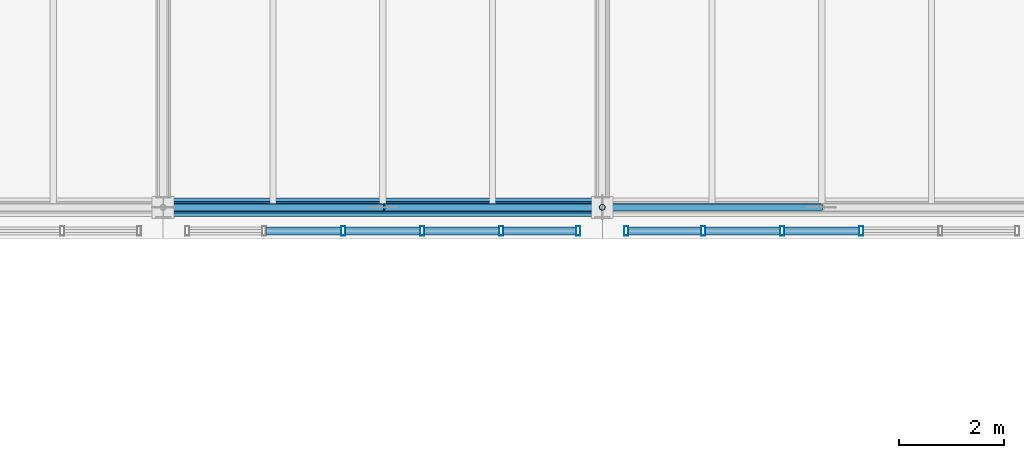
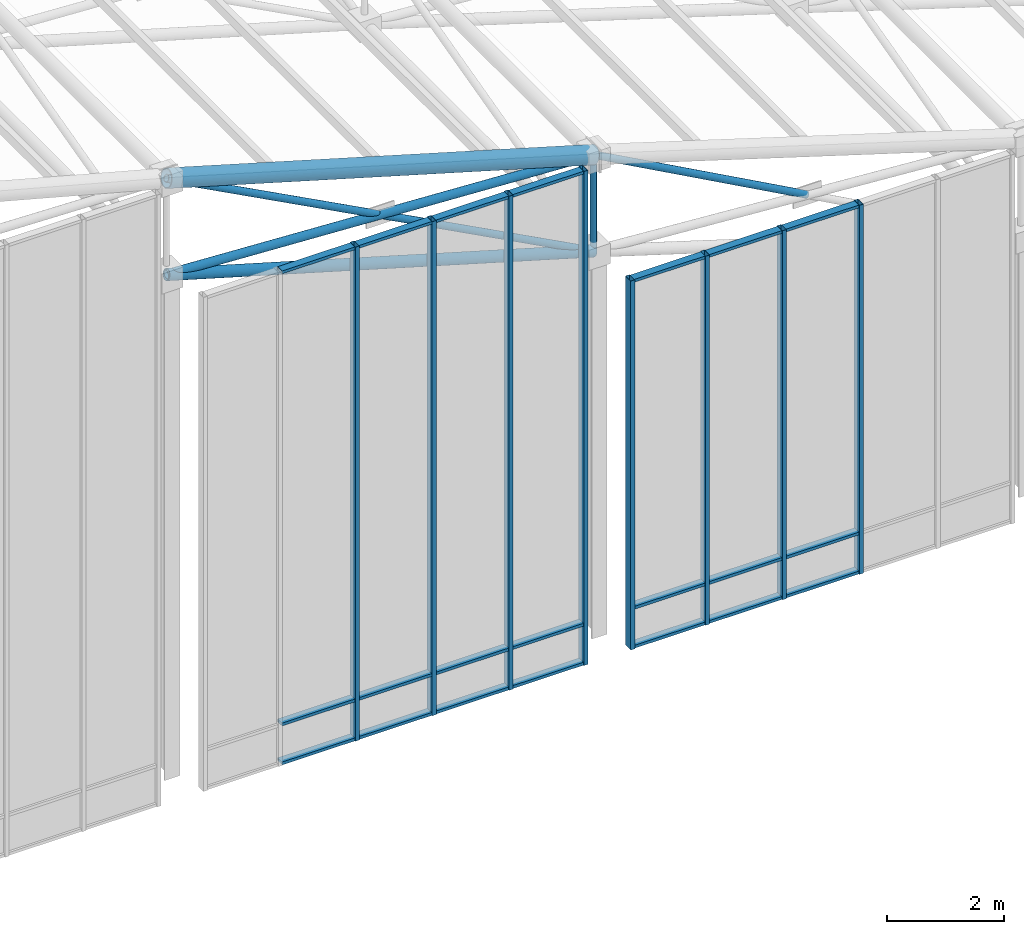
# One storey, part 22 of 144: 36 members, 2 elements without a shape of their own.
"""IFC4 building model written with IfcOpenShell, lengths in metres."""

from ifc_helpers import new_model, si_unit, direction, frame, origin, origin_2d, place, context, subcontext, project, spatial, hollow_rectangle, hollow_circle, extrude, material, layer, layer_set, material_profile, profile_set, type_object, element, aggregate, save


model = new_model("IFC4")

# Units and contexts
model_context = context("Model", 3, precision=1e-05, world=origin(), true_north=direction((0.0, 1.0)))
body_context = subcontext(model_context, "Body", "Model", "MODEL_VIEW")
ifc_project = project(units=[si_unit("LENGTHUNIT", "METRE"), si_unit("AREAUNIT", "SQUARE_METRE"), si_unit("VOLUMEUNIT", "CUBIC_METRE"), si_unit("PLANEANGLEUNIT", "RADIAN"), si_unit("MASSUNIT", "GRAM", prefix="KILO")], contexts=[model_context])

# Site, building, storey
site_placement = place(None, origin())
site = spatial("IfcSite", under=ifc_project, at=site_placement, CompositionType="ELEMENT")
building_placement = place(site_placement, origin())
building = spatial("IfcBuilding", under=site, at=building_placement, Name="Zayran Congress Hotel", CompositionType="ELEMENT")
storey_placement = place(building_placement, frame((0.0, 0.0, 19.199951171875)))
storey = spatial("IfcBuildingStorey", under=building, at=storey_placement, Name="L04", CompositionType="ELEMENT", Elevation=19.199951171875)

# Members
ifc_material_1 = material(Name="Steel S355", Category="steel")
ifc_material_profile_1 = material_profile(ifc_material_1, hollow_circle(Radius=0.177734375, WallThickness=0.01611328125, at=origin_2d()), Name="CHS 355.6x16")
ifc_profile_set_1 = profile_set([ifc_material_profile_1], Name="Steel S355")
member_type_1 = type_object("IfcMemberType", Name="TP-SF-TC1", PredefinedType="CHORD", material=ifc_profile_set_1)
member_1_placement = place(storey_placement, frame((58.800048828125, 68.199951171875, 12.35205078125), z_axis=(0.960000625005, 0.0, -0.279997857116), x_axis=(0.0, 1.0, 0.0)))
element("IfcMember", 1, at=member_1_placement, inside=storey, type_object=member_type_1, Name="Space Frame Top Chord X 331", PredefinedType="CHORD", context=body_context, shape_type="SweptSolid", body=[
    extrude(hollow_circle(Radius=0.177734375, WallThickness=0.01611328125, at=origin_2d()), origin(), (0.0, 0.0, 1.0), 8.75),
])
ifc_material_profile_2 = material_profile(ifc_material_1, hollow_circle(Radius=0.109619140625, WallThickness=0.010009765625, at=origin_2d()), Name="CHS 219.1x10")
ifc_profile_set_2 = profile_set([ifc_material_profile_2], Name="Steel S355")
member_type_2 = type_object("IfcMemberType", Name="TP-SF-BC1", PredefinedType="CHORD", material=ifc_profile_set_2)
member_2_placement = place(storey_placement, frame((58.800048828125, 68.199951171875, 10.35009765625), z_axis=(0.960000625005, 0.0, -0.279997857116), x_axis=(0.0, 1.0, 0.0)))
element("IfcMember", 2, at=member_2_placement, inside=storey, type_object=member_type_2, Name="Space Frame Bottom Chord X 332", PredefinedType="CHORD", context=body_context, shape_type="SweptSolid", body=[
    extrude(hollow_circle(Radius=0.109619140625, WallThickness=0.010009765625, at=origin_2d()), origin(), (0.0, 0.0, 1.0), 8.75),
])
ifc_material_profile_3 = material_profile(ifc_material_1, hollow_circle(Radius=0.084228515625, WallThickness=0.008056640625, at=origin_2d()), Name="CHS 168.3x8")
ifc_profile_set_3 = profile_set([ifc_material_profile_3], Name="Steel S355")
member_type_3 = type_object("IfcMemberType", Name="TP-SF-DG1", PredefinedType="BRACE", material=ifc_profile_set_3)
member_3_placement = place(storey_placement, frame((58.800048828125, 68.199951171875, 10.35009765625), z_axis=(0.998580784097, 0.0, -0.053258028798), x_axis=(0.0, 1.0, 0.0)))
element("IfcMember", 3, at=member_3_placement, inside=storey, type_object=member_type_3, Name="Space Frame Web Diagonal X 333", PredefinedType="BRACE", context=body_context, shape_type="SweptSolid", body=[
    extrude(hollow_circle(Radius=0.084228515625, WallThickness=0.008056640625, at=origin_2d()), origin(), (0.0, 0.0, 1.0), 8.411865234375),
])
ifc_material_profile_4 = material_profile(ifc_material_1, hollow_circle(Radius=0.06982421875, WallThickness=0.00634765625, at=origin_2d()), Name="CHS 139.7x6.3")
ifc_profile_set_4 = profile_set([ifc_material_profile_4], Name="Steel S355")
member_type_4 = type_object("IfcMemberType", Name="TP-SF-DG2", PredefinedType="BRACE", material=ifc_profile_set_4)
for number, where, z_axis, x_axis, name in (
    (4, (58.800048828125, 68.199951171875, 12.35205078125), (0.883572260403, 0.0, -0.468294843711), (0.0, 1.0, 0.0), "Space Frame Counter Diagonal X Upper 334"),
    (5, (63.01318359375, 68.199951171875, 10.119140625), (0.883572260403, 0.0, -0.468294843711), (0.0, 1.0, 0.0), "Space Frame Counter Diagonal X Lower 55"),
):
    element("IfcMember", number, at=place(storey_placement, frame(where, z_axis=z_axis, x_axis=x_axis)), inside=storey, type_object=member_type_4, Name=name, PredefinedType="BRACE", context=body_context, shape_type="SweptSolid", body=[
        extrude(hollow_circle(Radius=0.06982421875, WallThickness=0.00634765625, at=origin_2d()), origin(), (0.0, 0.0, 1.0), 4.738525390625),
    ])
member_4_placement = place(storey_placement, frame((67.199951171875, 68.199951171875, 9.902099609375), z_axis=(0.87699109083, 0.0, -0.480506635339), x_axis=(0.0, 1.0, 0.0)))
element("IfcMember", 6, at=member_4_placement, inside=storey, type_object=member_type_4, Name="Space Frame Counter Diagonal X Upper 387", PredefinedType="BRACE", context=body_context, shape_type="SweptSolid", body=[
    extrude(hollow_circle(Radius=0.06982421875, WallThickness=0.00634765625, at=origin_2d()), origin(), (0.0, 0.0, 1.0), 4.77392578125),
])
ifc_material_profile_5 = material_profile(ifc_material_1, hollow_circle(Radius=0.05712890625, WallThickness=0.00634765625, at=origin_2d()), Name="CHS 114.3x6.3")
ifc_profile_set_5 = profile_set([ifc_material_profile_5], Name="Steel S355")
member_type_5 = type_object("IfcMemberType", Name="TP-SF-DG3", PredefinedType="BRACE", material=ifc_profile_set_5)
member_5_placement = place(storey_placement, frame((67.199951171875, 68.199951171875, 7.900146484375), z_axis=(0.0, 0.0, 1.0), x_axis=(0.0, 1.0, 0.0)))
element("IfcMember", 7, at=member_5_placement, inside=storey, type_object=member_type_5, Name="Space Frame Web Strut 391", PredefinedType="BRACE", context=body_context, shape_type="SweptSolid", body=[
    extrude(hollow_circle(Radius=0.05712890625, WallThickness=0.00634765625, at=origin_2d()), origin(), (0.0, 0.0, 1.0), 2.001953125),
])

# Curtain wall, members
ifc_material_2 = material(Name="Anodised aluminium and low-E insulated glass", Category="aluminium")
ifc_layer_1 = layer(ifc_material_2, 0.179931640625)
ifc_layer_set_1 = layer_set([ifc_layer_1], Name="Anodised aluminium and low-E insulated glass")
curtain_wall_type_1 = type_object("IfcCurtainWallType", Name="CW-V1CL-L04-CW-11-7560-10270", PredefinedType="USERDEFINED", material=ifc_layer_set_1)
curtain_wall_1_placement = place(storey_placement, origin())
curtain_wall_1 = element("IfcCurtainWall", 8, at=curtain_wall_1_placement, inside=storey, type_object=curtain_wall_type_1, Name="CW-V1CLS-6", ObjectType="CURTAIN WALL", PredefinedType="USERDEFINED")
ifc_material_3 = material(Name="Anodised aluminium framing", Category="aluminium")
ifc_material_profile_6 = material_profile(ifc_material_3, hollow_rectangle(XDim=0.080078125, YDim=0.179931640625, WallThickness=0.0048828125, at=origin_2d()), Name="RHS 180x80x5")
ifc_profile_set_6 = profile_set([ifc_material_profile_6], Name="Anodised aluminium framing")
member_type_6 = type_object("IfcMemberType", Name="TP-CWM-01", PredefinedType="MULLION", material=ifc_profile_set_6)
member_6_placement = place(storey_placement, frame((62.243896484375, 67.75, -0.219970703125), z_axis=(0.0, 0.0, 1.0), x_axis=(1.0, 0.0, 0.0)))
member_6 = element("IfcMember", 9, at=member_6_placement, type_object=member_type_6, Name="CW-V1CLS-6-M02", PredefinedType="MULLION", context=body_context, shape_type="SweptSolid", body=[
    extrude(hollow_rectangle(XDim=0.080078125, YDim=0.179931640625, WallThickness=0.0048828125, at=origin_2d()), origin(), (0.0, 0.0, 1.0), 10.27001953125),
])
member_7_placement = place(storey_placement, frame((63.756103515625, 67.75, -0.219970703125), z_axis=(0.0, 0.0, 1.0), x_axis=(1.0, 0.0, 0.0)))
member_7 = element("IfcMember", 10, at=member_7_placement, type_object=member_type_6, Name="CW-V1CLS-6-M03", PredefinedType="MULLION", context=body_context, shape_type="SweptSolid", body=[
    extrude(hollow_rectangle(XDim=0.080078125, YDim=0.179931640625, WallThickness=0.0048828125, at=origin_2d()), origin(), (0.0, 0.0, 1.0), 10.27001953125),
])
member_8_placement = place(storey_placement, frame((65.26806640625, 67.75, -0.219970703125), z_axis=(0.0, 0.0, 1.0), x_axis=(1.0, 0.0, 0.0)))
member_8 = element("IfcMember", 11, at=member_8_placement, type_object=member_type_6, Name="CW-V1CLS-6-M04", PredefinedType="MULLION", context=body_context, shape_type="SweptSolid", body=[
    extrude(hollow_rectangle(XDim=0.080078125, YDim=0.179931640625, WallThickness=0.0048828125, at=origin_2d()), origin(), (0.0, 0.0, 1.0), 10.27001953125),
])
member_9_placement = place(storey_placement, frame((66.739990234375, 67.75, -0.219970703125), z_axis=(0.0, 0.0, 1.0), x_axis=(1.0, 0.0, 0.0)))
member_9 = element("IfcMember", 12, at=member_9_placement, type_object=member_type_6, Name="CW-V1CLS-6-M05", PredefinedType="MULLION", context=body_context, shape_type="SweptSolid", body=[
    extrude(hollow_rectangle(XDim=0.080078125, YDim=0.179931640625, WallThickness=0.0048828125, at=origin_2d()), origin(), (0.0, 0.0, 1.0), 10.27001953125),
])

ifc_layer_2 = layer(ifc_material_2, 0.179931640625)
ifc_layer_set_2 = layer_set([ifc_layer_2], Name="Anodised aluminium and low-E insulated glass")
curtain_wall_type_2 = type_object("IfcCurtainWallType", Name="CW-V1CL-L04-CW-12-7560-7670", PredefinedType="USERDEFINED", material=ifc_layer_set_2)
curtain_wall_2_placement = place(storey_placement, origin())
curtain_wall_2 = element("IfcCurtainWall", 13, at=curtain_wall_2_placement, inside=storey, type_object=curtain_wall_type_2, Name="CW-V1CLS-7", ObjectType="CURTAIN WALL", PredefinedType="USERDEFINED")
member_10_placement = place(storey_placement, frame((67.659912109375, 67.75, -0.219970703125), z_axis=(0.0, 0.0, 1.0), x_axis=(1.0, 0.0, 0.0)))
member_10 = element("IfcMember", 14, at=member_10_placement, type_object=member_type_6, Name="CW-V1CLS-7-M00", PredefinedType="MULLION", context=body_context, shape_type="SweptSolid", body=[
    extrude(hollow_rectangle(XDim=0.080078125, YDim=0.179931640625, WallThickness=0.0048828125, at=origin_2d()), origin(), (0.0, 0.0, 1.0), 7.669921875),
])
member_11_placement = place(storey_placement, frame((69.132080078125, 67.75, -0.219970703125), z_axis=(0.0, 0.0, 1.0), x_axis=(1.0, 0.0, 0.0)))
member_11 = element("IfcMember", 15, at=member_11_placement, type_object=member_type_6, Name="CW-V1CLS-7-M01", PredefinedType="MULLION", context=body_context, shape_type="SweptSolid", body=[
    extrude(hollow_rectangle(XDim=0.080078125, YDim=0.179931640625, WallThickness=0.0048828125, at=origin_2d()), origin(), (0.0, 0.0, 1.0), 7.669921875),
])
member_12_placement = place(storey_placement, frame((70.64404296875, 67.75, -0.219970703125), z_axis=(0.0, 0.0, 1.0), x_axis=(1.0, 0.0, 0.0)))
member_12 = element("IfcMember", 16, at=member_12_placement, type_object=member_type_6, Name="CW-V1CLS-7-M02", PredefinedType="MULLION", context=body_context, shape_type="SweptSolid", body=[
    extrude(hollow_rectangle(XDim=0.080078125, YDim=0.179931640625, WallThickness=0.0048828125, at=origin_2d()), origin(), (0.0, 0.0, 1.0), 7.669921875),
])
member_13_placement = place(storey_placement, frame((72.156005859375, 67.75, -0.219970703125), z_axis=(0.0, 0.0, 1.0), x_axis=(1.0, 0.0, 0.0)))
member_13 = element("IfcMember", 17, at=member_13_placement, type_object=member_type_6, Name="CW-V1CLS-7-M03", PredefinedType="MULLION", context=body_context, shape_type="SweptSolid", body=[
    extrude(hollow_rectangle(XDim=0.080078125, YDim=0.179931640625, WallThickness=0.0048828125, at=origin_2d()), origin(), (0.0, 0.0, 1.0), 7.669921875),
])

# Member
ifc_material_profile_7 = material_profile(ifc_material_3, hollow_rectangle(XDim=0.06005859375, YDim=0.14990234375, WallThickness=0.00390625, at=origin_2d()), Name="RHS 150x60x4")
ifc_profile_set_7 = profile_set([ifc_material_profile_7], Name="Anodised aluminium framing")
member_type_7 = type_object("IfcMemberType", Name="TP-CWT-01", PredefinedType="USERDEFINED", material=ifc_profile_set_7)
member_14_placement = place(storey_placement, frame((60.77197265625, 67.75, -0.18994140625), z_axis=(1.0, 0.0, 0.0), x_axis=(0.0, 0.0, 1.0)))
member_14 = element("IfcMember", 18, at=member_14_placement, type_object=member_type_7, Name="CW-V1CLS-6-T01-0", ObjectType="TRANSOM", PredefinedType="USERDEFINED", context=body_context, shape_type="SweptSolid", body=[
    extrude(hollow_rectangle(XDim=0.06005859375, YDim=0.14990234375, WallThickness=0.00390625, at=origin_2d()), origin(), (0.0, 0.0, 1.0), 1.43212890625),
])

member_15_placement = place(storey_placement, frame((60.77197265625, 67.75, 0.6201171875), z_axis=(1.0, 0.0, 0.0), x_axis=(0.0, 0.0, 1.0)))
member_15 = element("IfcMember", 19, at=member_15_placement, type_object=member_type_7, Name="CW-V1CLS-6-T01-1", ObjectType="TRANSOM", PredefinedType="USERDEFINED", context=body_context, shape_type="SweptSolid", body=[
    extrude(hollow_rectangle(XDim=0.06005859375, YDim=0.14990234375, WallThickness=0.00390625, at=origin_2d()), origin(), (0.0, 0.0, 1.0), 1.43212890625),
])

member_16_placement = place(storey_placement, frame((60.77197265625, 67.75, 10.02001953125), z_axis=(1.0, 0.0, 0.0), x_axis=(0.0, 0.0, 1.0)))
member_16 = element("IfcMember", 20, at=member_16_placement, type_object=member_type_7, Name="CW-V1CLS-6-T01-2", ObjectType="TRANSOM", PredefinedType="USERDEFINED", context=body_context, shape_type="SweptSolid", body=[
    extrude(hollow_rectangle(XDim=0.06005859375, YDim=0.14990234375, WallThickness=0.00390625, at=origin_2d()), origin(), (0.0, 0.0, 1.0), 1.43212890625),
])

member_17_placement = place(storey_placement, frame((62.283935546875, 67.75, -0.18994140625), z_axis=(1.0, 0.0, 0.0), x_axis=(0.0, 0.0, 1.0)))
member_17 = element("IfcMember", 21, at=member_17_placement, type_object=member_type_7, Name="CW-V1CLS-6-T02-0", ObjectType="TRANSOM", PredefinedType="USERDEFINED", context=body_context, shape_type="SweptSolid", body=[
    extrude(hollow_rectangle(XDim=0.06005859375, YDim=0.14990234375, WallThickness=0.00390625, at=origin_2d()), origin(), (0.0, 0.0, 1.0), 1.43212890625),
])

member_18_placement = place(storey_placement, frame((62.283935546875, 67.75, 0.6201171875), z_axis=(1.0, 0.0, 0.0), x_axis=(0.0, 0.0, 1.0)))
member_18 = element("IfcMember", 22, at=member_18_placement, type_object=member_type_7, Name="CW-V1CLS-6-T02-1", ObjectType="TRANSOM", PredefinedType="USERDEFINED", context=body_context, shape_type="SweptSolid", body=[
    extrude(hollow_rectangle(XDim=0.06005859375, YDim=0.14990234375, WallThickness=0.00390625, at=origin_2d()), origin(), (0.0, 0.0, 1.0), 1.43212890625),
])

member_19_placement = place(storey_placement, frame((62.283935546875, 67.75, 10.02001953125), z_axis=(1.0, 0.0, 0.0), x_axis=(0.0, 0.0, 1.0)))
member_19 = element("IfcMember", 23, at=member_19_placement, type_object=member_type_7, Name="CW-V1CLS-6-T02-2", ObjectType="TRANSOM", PredefinedType="USERDEFINED", context=body_context, shape_type="SweptSolid", body=[
    extrude(hollow_rectangle(XDim=0.06005859375, YDim=0.14990234375, WallThickness=0.00390625, at=origin_2d()), origin(), (0.0, 0.0, 1.0), 1.43212890625),
])

member_20_placement = place(storey_placement, frame((63.7958984375, 67.75, -0.18994140625), z_axis=(1.0, 0.0, 0.0), x_axis=(0.0, 0.0, 1.0)))
member_20 = element("IfcMember", 24, at=member_20_placement, type_object=member_type_7, Name="CW-V1CLS-6-T03-0", ObjectType="TRANSOM", PredefinedType="USERDEFINED", context=body_context, shape_type="SweptSolid", body=[
    extrude(hollow_rectangle(XDim=0.06005859375, YDim=0.14990234375, WallThickness=0.00390625, at=origin_2d()), origin(), (0.0, 0.0, 1.0), 1.43212890625),
])

member_21_placement = place(storey_placement, frame((63.7958984375, 67.75, 0.6201171875), z_axis=(1.0, 0.0, 0.0), x_axis=(0.0, 0.0, 1.0)))
member_21 = element("IfcMember", 25, at=member_21_placement, type_object=member_type_7, Name="CW-V1CLS-6-T03-1", ObjectType="TRANSOM", PredefinedType="USERDEFINED", context=body_context, shape_type="SweptSolid", body=[
    extrude(hollow_rectangle(XDim=0.06005859375, YDim=0.14990234375, WallThickness=0.00390625, at=origin_2d()), origin(), (0.0, 0.0, 1.0), 1.43212890625),
])

member_22_placement = place(storey_placement, frame((63.7958984375, 67.75, 10.02001953125), z_axis=(1.0, 0.0, 0.0), x_axis=(0.0, 0.0, 1.0)))
member_22 = element("IfcMember", 26, at=member_22_placement, type_object=member_type_7, Name="CW-V1CLS-6-T03-2", ObjectType="TRANSOM", PredefinedType="USERDEFINED", context=body_context, shape_type="SweptSolid", body=[
    extrude(hollow_rectangle(XDim=0.06005859375, YDim=0.14990234375, WallThickness=0.00390625, at=origin_2d()), origin(), (0.0, 0.0, 1.0), 1.43212890625),
])

member_23_placement = place(storey_placement, frame((65.30810546875, 67.75, -0.18994140625), z_axis=(1.0, 0.0, 0.0), x_axis=(0.0, 0.0, 1.0)))
member_23 = element("IfcMember", 27, at=member_23_placement, type_object=member_type_7, Name="CW-V1CLS-6-T04-0", ObjectType="TRANSOM", PredefinedType="USERDEFINED", context=body_context, shape_type="SweptSolid", body=[
    extrude(hollow_rectangle(XDim=0.06005859375, YDim=0.14990234375, WallThickness=0.00390625, at=origin_2d()), origin(), (0.0, 0.0, 1.0), 1.391845703125),
])

member_24_placement = place(storey_placement, frame((65.30810546875, 67.75, 0.6201171875), z_axis=(1.0, 0.0, 0.0), x_axis=(0.0, 0.0, 1.0)))
member_24 = element("IfcMember", 28, at=member_24_placement, type_object=member_type_7, Name="CW-V1CLS-6-T04-1", ObjectType="TRANSOM", PredefinedType="USERDEFINED", context=body_context, shape_type="SweptSolid", body=[
    extrude(hollow_rectangle(XDim=0.06005859375, YDim=0.14990234375, WallThickness=0.00390625, at=origin_2d()), origin(), (0.0, 0.0, 1.0), 1.391845703125),
])

member_25_placement = place(storey_placement, frame((65.30810546875, 67.75, 10.02001953125), z_axis=(1.0, 0.0, 0.0), x_axis=(0.0, 0.0, 1.0)))
member_25 = element("IfcMember", 29, at=member_25_placement, type_object=member_type_7, Name="CW-V1CLS-6-T04-2", ObjectType="TRANSOM", PredefinedType="USERDEFINED", context=body_context, shape_type="SweptSolid", body=[
    extrude(hollow_rectangle(XDim=0.06005859375, YDim=0.14990234375, WallThickness=0.00390625, at=origin_2d()), origin(), (0.0, 0.0, 1.0), 1.391845703125),
])

aggregate(curtain_wall_1, [member_6, member_7, member_8, member_9, member_14, member_15, member_16, member_17, member_18, member_19, member_20, member_21, member_22, member_23, member_24, member_25])

member_26_placement = place(storey_placement, frame((67.699951171875, 67.75, -0.18994140625), z_axis=(1.0, 0.0, 0.0), x_axis=(0.0, 0.0, 1.0)))
member_26 = element("IfcMember", 30, at=member_26_placement, type_object=member_type_7, Name="CW-V1CLS-7-T00-0", ObjectType="TRANSOM", PredefinedType="USERDEFINED", context=body_context, shape_type="SweptSolid", body=[
    extrude(hollow_rectangle(XDim=0.06005859375, YDim=0.14990234375, WallThickness=0.00390625, at=origin_2d()), origin(), (0.0, 0.0, 1.0), 1.39208984375),
])

member_27_placement = place(storey_placement, frame((67.699951171875, 67.75, 0.6201171875), z_axis=(1.0, 0.0, 0.0), x_axis=(0.0, 0.0, 1.0)))
member_27 = element("IfcMember", 31, at=member_27_placement, type_object=member_type_7, Name="CW-V1CLS-7-T00-1", ObjectType="TRANSOM", PredefinedType="USERDEFINED", context=body_context, shape_type="SweptSolid", body=[
    extrude(hollow_rectangle(XDim=0.06005859375, YDim=0.14990234375, WallThickness=0.00390625, at=origin_2d()), origin(), (0.0, 0.0, 1.0), 1.39208984375),
])

member_28_placement = place(storey_placement, frame((67.699951171875, 67.75, 7.420166015625), z_axis=(1.0, 0.0, 0.0), x_axis=(0.0, 0.0, 1.0)))
member_28 = element("IfcMember", 32, at=member_28_placement, type_object=member_type_7, Name="CW-V1CLS-7-T00-2", ObjectType="TRANSOM", PredefinedType="USERDEFINED", context=body_context, shape_type="SweptSolid", body=[
    extrude(hollow_rectangle(XDim=0.06005859375, YDim=0.14990234375, WallThickness=0.00390625, at=origin_2d()), origin(), (0.0, 0.0, 1.0), 1.39208984375),
])

member_29_placement = place(storey_placement, frame((69.172119140625, 67.75, -0.18994140625), z_axis=(1.0, 0.0, 0.0), x_axis=(0.0, 0.0, 1.0)))
member_29 = element("IfcMember", 33, at=member_29_placement, type_object=member_type_7, Name="CW-V1CLS-7-T01-0", ObjectType="TRANSOM", PredefinedType="USERDEFINED", context=body_context, shape_type="SweptSolid", body=[
    extrude(hollow_rectangle(XDim=0.06005859375, YDim=0.14990234375, WallThickness=0.00390625, at=origin_2d()), origin(), (0.0, 0.0, 1.0), 1.431884765625),
])

member_30_placement = place(storey_placement, frame((69.172119140625, 67.75, 0.6201171875), z_axis=(1.0, 0.0, 0.0), x_axis=(0.0, 0.0, 1.0)))
member_30 = element("IfcMember", 34, at=member_30_placement, type_object=member_type_7, Name="CW-V1CLS-7-T01-1", ObjectType="TRANSOM", PredefinedType="USERDEFINED", context=body_context, shape_type="SweptSolid", body=[
    extrude(hollow_rectangle(XDim=0.06005859375, YDim=0.14990234375, WallThickness=0.00390625, at=origin_2d()), origin(), (0.0, 0.0, 1.0), 1.431884765625),
])

member_31_placement = place(storey_placement, frame((69.172119140625, 67.75, 7.420166015625), z_axis=(1.0, 0.0, 0.0), x_axis=(0.0, 0.0, 1.0)))
member_31 = element("IfcMember", 35, at=member_31_placement, type_object=member_type_7, Name="CW-V1CLS-7-T01-2", ObjectType="TRANSOM", PredefinedType="USERDEFINED", context=body_context, shape_type="SweptSolid", body=[
    extrude(hollow_rectangle(XDim=0.06005859375, YDim=0.14990234375, WallThickness=0.00390625, at=origin_2d()), origin(), (0.0, 0.0, 1.0), 1.431884765625),
])

member_32_placement = place(storey_placement, frame((70.68408203125, 67.75, -0.18994140625), z_axis=(1.0, 0.0, 0.0), x_axis=(0.0, 0.0, 1.0)))
member_32 = element("IfcMember", 36, at=member_32_placement, type_object=member_type_7, Name="CW-V1CLS-7-T02-0", ObjectType="TRANSOM", PredefinedType="USERDEFINED", context=body_context, shape_type="SweptSolid", body=[
    extrude(hollow_rectangle(XDim=0.06005859375, YDim=0.14990234375, WallThickness=0.00390625, at=origin_2d()), origin(), (0.0, 0.0, 1.0), 1.431884765625),
])

member_33_placement = place(storey_placement, frame((70.68408203125, 67.75, 0.6201171875), z_axis=(1.0, 0.0, 0.0), x_axis=(0.0, 0.0, 1.0)))
member_33 = element("IfcMember", 37, at=member_33_placement, type_object=member_type_7, Name="CW-V1CLS-7-T02-1", ObjectType="TRANSOM", PredefinedType="USERDEFINED", context=body_context, shape_type="SweptSolid", body=[
    extrude(hollow_rectangle(XDim=0.06005859375, YDim=0.14990234375, WallThickness=0.00390625, at=origin_2d()), origin(), (0.0, 0.0, 1.0), 1.431884765625),
])

member_34_placement = place(storey_placement, frame((70.68408203125, 67.75, 7.420166015625), z_axis=(1.0, 0.0, 0.0), x_axis=(0.0, 0.0, 1.0)))
member_34 = element("IfcMember", 38, at=member_34_placement, type_object=member_type_7, Name="CW-V1CLS-7-T02-2", ObjectType="TRANSOM", PredefinedType="USERDEFINED", context=body_context, shape_type="SweptSolid", body=[
    extrude(hollow_rectangle(XDim=0.06005859375, YDim=0.14990234375, WallThickness=0.00390625, at=origin_2d()), origin(), (0.0, 0.0, 1.0), 1.431884765625),
])

aggregate(curtain_wall_2, [member_10, member_11, member_12, member_13, member_26, member_27, member_28, member_29, member_30, member_31, member_32, member_33, member_34])

save(model, "model.ifc")
